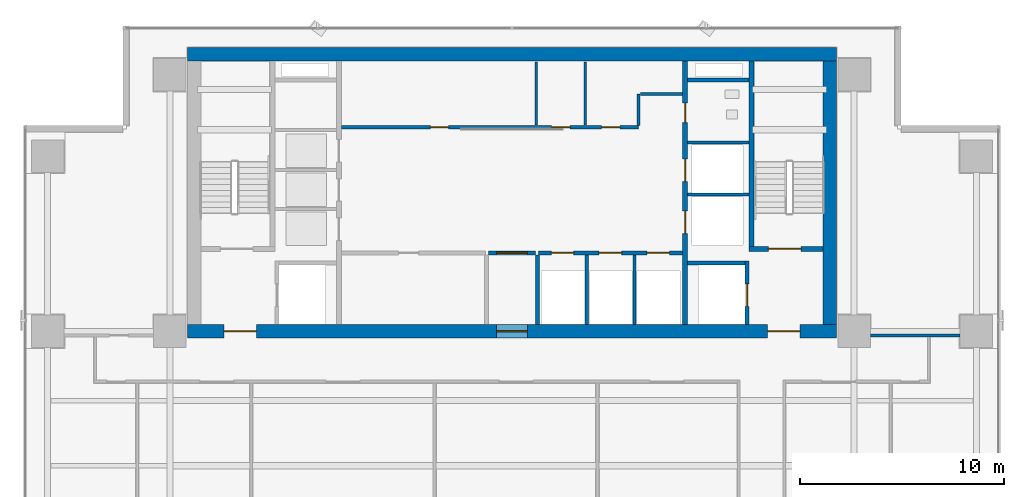
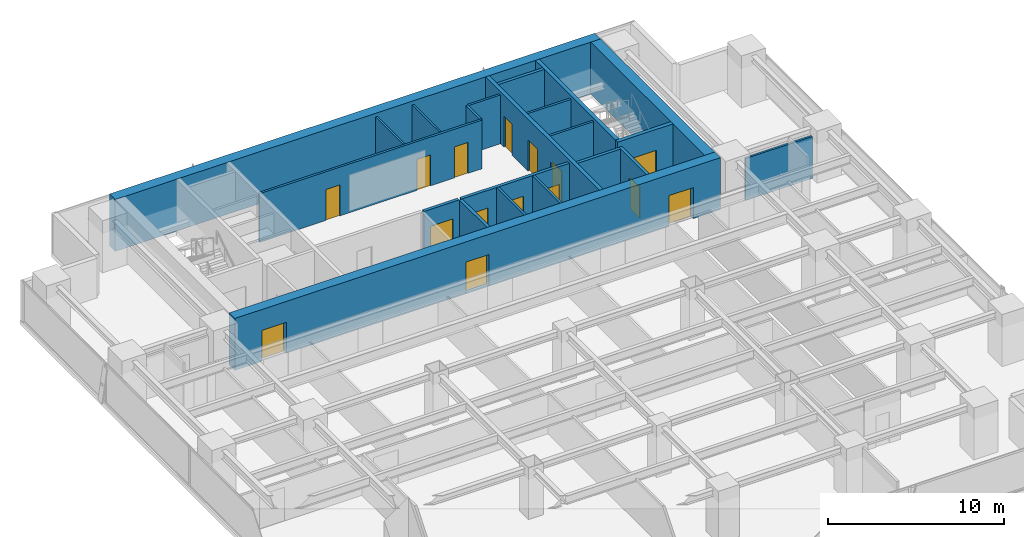
# One storey, part 22 of 29: 22 walls, 15 doors, 15 openings.
"""IFC4 building model written with IfcOpenShell, lengths in metres."""

from ifc_helpers import new_model, si_unit, direction, frame, frame_2d, origin, place, context, subcontext, project, spatial, rectangle, extrude, source, transform, mapped, material, layer, layer_set, type_object, element, fill, save


model = new_model("IFC4")

# Units and contexts
model_context = context("Model", 3, precision=1e-05, world=origin(), true_north=direction((0.0, 1.0)))
body_context = subcontext(model_context, "Body", "Model", "MODEL_VIEW")
ifc_project = project(units=[si_unit("LENGTHUNIT", "METRE"), si_unit("AREAUNIT", "SQUARE_METRE"), si_unit("VOLUMEUNIT", "CUBIC_METRE"), si_unit("PLANEANGLEUNIT", "RADIAN"), si_unit("MASSUNIT", "GRAM", prefix="KILO")], contexts=[model_context])

# Site, building, storey
site_placement = place(None, origin())
site = spatial("IfcSite", under=ifc_project, at=site_placement, CompositionType="ELEMENT")
building_placement = place(site_placement, origin())
building = spatial("IfcBuilding", under=site, at=building_placement, Name="Sumidabori Civic Tower", CompositionType="ELEMENT")
storey_placement = place(building_placement, frame((0.0, 0.0, 131.60009765625)))
storey = spatial("IfcBuildingStorey", under=building, at=storey_placement, Name="L33", CompositionType="ELEMENT", Elevation=131.60009765625)

# Walls
ifc_material_1 = material(Name="Concrete C50/60", Category="concrete")
ifc_layer_1 = layer(ifc_material_1, 0.199951171875, Name="Concrete C50/60")
ifc_layer_set_1 = layer_set([ifc_layer_1], Name="Concrete C50/60")
wall_type_1 = type_object("IfcWallType", Name="WL-SHAFT-200", PredefinedType="SHEAR", material=ifc_layer_set_1)
shared_shape_1 = source(origin(), body_context, "Body", "SweptSolid", [
    extrude(rectangle(XDim=2.824951171875, YDim=0.199951171875, at=frame_2d((1.41259765625, 0.0))), origin(), (0.0, 0.0, 1.0), 3.599853515625),
])
wall_1_placement = place(storey_placement, frame((8.625, 13.550048828125, 0.0), z_axis=(0.0, 0.0, 1.0), x_axis=(1.0, 0.0, 0.0)))
element("IfcWall", 1, at=wall_1_placement, inside=storey, type_object=wall_type_1, Name="Core Shear Wall L33 EL2-N", PredefinedType="SHEAR", context=body_context, shape_type="MappedRepresentation", body=[
    mapped(shared_shape_1, transform((0.0, 0.0, 0.0), x_axis=(1.0, 0.0, 0.0), y_axis=(0.0, 1.0, 0.0), z_axis=(0.0, 0.0, 1.0), scale=1.0)),
])
shared_shape_2 = source(origin(), body_context, "Body", "SweptSolid", [
    extrude(rectangle(XDim=3.02001953125, YDim=0.199951171875, at=frame_2d((1.510009765625, 0.0))), origin(), (0.0, 0.0, 1.0), 3.599853515625),
])
wall_2_placement = place(storey_placement, frame((8.625, 22.550048828125, 0.0), z_axis=(0.0, 0.0, 1.0), x_axis=(1.0, 0.0, 0.0)))
element("IfcWall", 2, at=wall_2_placement, inside=storey, type_object=wall_type_1, Name="Core Shear Wall L33 RIS2-S", PredefinedType="SHEAR", context=body_context, shape_type="MappedRepresentation", body=[
    mapped(shared_shape_2, transform((0.0, 0.0, 0.0), x_axis=(1.0, 0.0, 0.0), y_axis=(0.0, 1.0, 0.0), z_axis=(0.0, 0.0, 1.0), scale=1.0)),
])
ifc_material_2 = material(Name="Concrete C60/75", Category="concrete")
ifc_layer_2 = layer(ifc_material_2, 0.64990234375, Name="Concrete C60/75")
ifc_layer_set_2 = layer_set([ifc_layer_2], Name="Concrete C60/75")
wall_type_2 = type_object("IfcWallType", Name="WL-CORE-650", PredefinedType="SHEAR", material=ifc_layer_set_2)
shared_shape_3 = source(origin(), body_context, "Body", "SweptSolid", [
    extrude(rectangle(XDim=31.85009765625, YDim=0.64990234375, at=frame_2d((15.925048828125, 0.0))), origin(), (0.0, 0.0, 1.0), 3.599853515625),
])
wall_3_placement = place(storey_placement, frame((-15.925048828125, 23.800048828125, 0.0), z_axis=(0.0, 0.0, 1.0), x_axis=(1.0, 0.0, 0.0)))
element("IfcWall", 3, at=wall_3_placement, inside=storey, type_object=wall_type_2, Name="Core Shear Wall L33 N", PredefinedType="SHEAR", context=body_context, shape_type="MappedRepresentation", body=[
    mapped(shared_shape_3, transform((0.0, 0.0, 0.0), x_axis=(1.0, 0.0, 0.0), y_axis=(0.0, 1.0, 0.0), z_axis=(0.0, 0.0, 1.0), scale=1.0)),
])

# Wall, openings, doors
wall_4_placement = place(storey_placement, frame((-15.925048828125, 10.199951171875, 0.0), z_axis=(0.0, 0.0, 1.0), x_axis=(1.0, 0.0, 0.0)))
wall_4 = element("IfcWall", 4, at=wall_4_placement, inside=storey, type_object=wall_type_2, Name="Core Shear Wall L33 S", PredefinedType="SHEAR", context=body_context, shape_type="MappedRepresentation", body=[
    mapped(shared_shape_3, transform((0.0, 0.0, 0.0), x_axis=(1.0, 0.0, 0.0), y_axis=(0.0, 1.0, 0.0), z_axis=(0.0, 0.0, 1.0), scale=1.0)),
])
opening_1_placement = place(wall_4_placement, frame((1.77490234375, 0.0, 0.0)))
opening_1 = element("IfcOpeningElement", 5, at=opening_1_placement, cuts=wall_4, Name="Opening DR-FD4", PredefinedType="OPENING", context=body_context, shape_type="SweptSolid", body=[
    extrude(rectangle(XDim=1.60009765625, YDim=2.14990234375, at=frame_2d((0.800048828125, 1.074951171875))), frame((0.0, 0.3369140625, 0.0), z_axis=(0.0, -1.0, 0.0), x_axis=(1.0, 0.0, 0.0)), (0.0, 0.0, 1.0), 0.673828125),
])
opening_2_placement = place(wall_4_placement, frame((28.47509765625, 0.0, 0.0)))
opening_2 = element("IfcOpeningElement", 6, at=opening_2_placement, cuts=wall_4, Name="Opening DR-FD4", PredefinedType="OPENING", context=body_context, shape_type="SweptSolid", body=[
    extrude(rectangle(XDim=1.60009765625, YDim=2.14990234375, at=frame_2d((0.800048828125, 1.074951171875))), frame((0.0, 0.3369140625, 0.0), z_axis=(0.0, -1.0, 0.0), x_axis=(1.0, 0.0, 0.0)), (0.0, 0.0, 1.0), 0.673828125),
])
opening_3_placement = place(wall_4_placement, frame((15.175048828125, 0.0, 0.0)))
opening_3 = element("IfcOpeningElement", 7, at=opening_3_placement, cuts=wall_4, Name="Opening DR-FD3", PredefinedType="OPENING", context=body_context, shape_type="SweptSolid", body=[
    extrude(rectangle(XDim=1.5, YDim=2.199951171875, at=frame_2d((0.75, 1.10009765625))), frame((0.0, 0.3369140625, 0.0), z_axis=(0.0, -1.0, 0.0), x_axis=(1.0, 0.0, 0.0)), (0.0, 0.0, 1.0), 0.673828125),
])
ifc_material_3 = material(Name="Steel SN490", Category="steel")
door_type_1 = type_object("IfcDoorType", Name="DR-FD4", OperationType="DOUBLE_DOOR_SINGLE_SWING", PredefinedType="DOOR", material=ifc_material_3)
shared_shape_4 = source(origin(), body_context, "Body", "SweptSolid", [
    extrude(rectangle(XDim=1.60009765625, YDim=2.14990234375, at=frame_2d((0.800048828125, 1.074951171875))), frame((0.0, 0.02490234375, 0.0), z_axis=(0.0, -1.0, 0.0), x_axis=(1.0, 0.0, 0.0)), (0.0, 0.0, 1.0), 0.050048828125),
])
door_1_placement = place(opening_1_placement, origin())
door_1 = element("IfcDoor", 8, at=door_1_placement, inside=storey, type_object=door_type_1, Name="Door DR:L33:ELOB-W", OperationType="DOUBLE_DOOR_SINGLE_SWING", OverallHeight=2.14990234375, OverallWidth=1.60009765625, PredefinedType="DOOR", context=body_context, shape_type="MappedRepresentation", body=[
    mapped(shared_shape_4, transform((0.0, 0.0, 0.0), x_axis=(1.0, 0.0, 0.0), y_axis=(0.0, 1.0, 0.0), z_axis=(0.0, 0.0, 1.0), scale=1.0)),
])
fill(opening_1, door_1)
door_2_placement = place(opening_2_placement, origin())
door_2 = element("IfcDoor", 9, at=door_2_placement, inside=storey, type_object=door_type_1, Name="Door DR:L33:ELOB-E", OperationType="DOUBLE_DOOR_SINGLE_SWING", OverallHeight=2.14990234375, OverallWidth=1.60009765625, PredefinedType="DOOR", context=body_context, shape_type="MappedRepresentation", body=[
    mapped(shared_shape_4, transform((0.0, 0.0, 0.0), x_axis=(1.0, 0.0, 0.0), y_axis=(0.0, 1.0, 0.0), z_axis=(0.0, 0.0, 1.0), scale=1.0)),
])
fill(opening_2, door_2)
door_type_2 = type_object("IfcDoorType", Name="DR-FD-DBL", OperationType="DOUBLE_DOOR_SINGLE_SWING", PredefinedType="DOOR", material=ifc_material_3)
shared_shape_5 = source(origin(), body_context, "Body", "SweptSolid", [
    extrude(rectangle(XDim=1.5, YDim=2.199951171875, at=frame_2d((0.75, 1.10009765625))), frame((0.0, 0.02490234375, 0.0), z_axis=(0.0, -1.0, 0.0), x_axis=(1.0, 0.0, 0.0)), (0.0, 0.0, 1.0), 0.050048828125),
])
door_3_placement = place(opening_3_placement, origin())
door_3 = element("IfcDoor", 10, at=door_3_placement, inside=storey, type_object=door_type_2, Name="Door DR:L33:THROAT-OUT", OperationType="DOUBLE_DOOR_SINGLE_SWING", OverallHeight=2.199951171875, OverallWidth=1.5, PredefinedType="DOOR", context=body_context, shape_type="MappedRepresentation", body=[
    mapped(shared_shape_5, transform((0.0, 0.0, 0.0), x_axis=(1.0, 0.0, 0.0), y_axis=(0.0, 1.0, 0.0), z_axis=(0.0, 0.0, 1.0), scale=1.0)),
])
fill(opening_3, door_3)

# Wall
shared_shape_6 = source(origin(), body_context, "Body", "SweptSolid", [
    extrude(rectangle(XDim=12.9501953125, YDim=0.64990234375, at=frame_2d((6.47509765625, 0.0))), origin(), (0.0, 0.0, 1.0), 3.599853515625),
])
wall_5_placement = place(storey_placement, frame((15.60009765625, 10.52490234375, 0.0), z_axis=(0.0, 0.0, 1.0), x_axis=(0.0, 1.0, 0.0)))
element("IfcWall", 11, at=wall_5_placement, inside=storey, type_object=wall_type_2, Name="Core Shear Wall L33 E", PredefinedType="SHEAR", context=body_context, shape_type="MappedRepresentation", body=[
    mapped(shared_shape_6, transform((0.0, 0.0, 0.0), x_axis=(1.0, 0.0, 0.0), y_axis=(0.0, 1.0, 0.0), z_axis=(0.0, 0.0, 1.0), scale=1.0)),
])

# Wall, openings, doors
ifc_layer_3 = layer(ifc_material_1, 0.25, Name="Concrete C50/60")
ifc_layer_set_3 = layer_set([ifc_layer_3], Name="Concrete C50/60")
wall_type_3 = type_object("IfcWallType", Name="WL-SHAFT-250", PredefinedType="SHEAR", material=ifc_layer_set_3)
shared_shape_7 = source(origin(), body_context, "Body", "SweptSolid", [
    extrude(rectangle(XDim=12.9501953125, YDim=0.25, at=frame_2d((6.47509765625, 0.0))), origin(), (0.0, 0.0, 1.0), 3.599853515625),
])
wall_6_placement = place(storey_placement, frame((8.5, 10.52490234375, 0.0), z_axis=(0.0, 0.0, 1.0), x_axis=(0.0, 1.0, 0.0)))
wall_6 = element("IfcWall", 12, at=wall_6_placement, inside=storey, type_object=wall_type_3, Name="Core Shear Wall L33 WEB-E", PredefinedType="SHEAR", context=body_context, shape_type="MappedRepresentation", body=[
    mapped(shared_shape_7, transform((0.0, 0.0, 0.0), x_axis=(1.0, 0.0, 0.0), y_axis=(0.0, 1.0, 0.0), z_axis=(0.0, 0.0, 1.0), scale=1.0)),
])
opening_4_placement = place(wall_6_placement, frame((4.47509765625, 0.0, 0.0)))
opening_4 = element("IfcOpeningElement", 13, at=opening_4_placement, cuts=wall_6, Name="Opening LD-1", PredefinedType="OPENING", context=body_context, shape_type="SweptSolid", body=[
    extrude(rectangle(XDim=1.10009765625, YDim=2.14990234375, at=frame_2d((0.550048828125, 1.074951171875))), frame((0.0, 0.136962890625, 0.0), z_axis=(0.0, -1.0, 0.0), x_axis=(1.0, 0.0, 0.0)), (0.0, 0.0, 1.0), 0.27392578125),
])
opening_5_placement = place(wall_6_placement, frame((7.02490234375, 0.0, 0.0)))
opening_5 = element("IfcOpeningElement", 14, at=opening_5_placement, cuts=wall_6, Name="Opening LD-1", PredefinedType="OPENING", context=body_context, shape_type="SweptSolid", body=[
    extrude(rectangle(XDim=1.10009765625, YDim=2.14990234375, at=frame_2d((0.550048828125, 1.074951171875))), frame((0.0, 0.136962890625, 0.0), z_axis=(0.0, -1.0, 0.0), x_axis=(1.0, 0.0, 0.0)), (0.0, 0.0, 1.0), 0.27392578125),
])
opening_6_placement = place(wall_6_placement, frame((9.925048828125, 0.0, 0.0)))
opening_6 = element("IfcOpeningElement", 15, at=opening_6_placement, cuts=wall_6, Name="Opening DR-2", PredefinedType="OPENING", context=body_context, shape_type="SweptSolid", body=[
    extrude(rectangle(XDim=0.949951171875, YDim=2.14990234375, at=frame_2d((0.47509765625, 1.074951171875))), frame((0.0, 0.136962890625, 0.0), z_axis=(0.0, -1.0, 0.0), x_axis=(1.0, 0.0, 0.0)), (0.0, 0.0, 1.0), 0.27392578125),
])
ifc_material_4 = material(Name="Stainless Steel Hairline Finish", Category="steel")
door_type_3 = type_object("IfcDoorType", Name="DR-LD1", OperationType="DOUBLE_DOOR_SLIDING", PredefinedType="DOOR", material=ifc_material_4)
shared_shape_8 = source(origin(), body_context, "Body", "SweptSolid", [
    extrude(rectangle(XDim=1.10009765625, YDim=2.14990234375, at=frame_2d((0.550048828125, 1.074951171875))), frame((0.0, 0.02490234375, 0.0), z_axis=(0.0, -1.0, 0.0), x_axis=(1.0, 0.0, 0.0)), (0.0, 0.0, 1.0), 0.050048828125),
])
door_4_placement = place(opening_4_placement, origin())
door_4 = element("IfcDoor", 16, at=door_4_placement, inside=storey, type_object=door_type_3, Name="Door DR:L33:LD-OBS1", OperationType="DOUBLE_DOOR_SLIDING", OverallHeight=2.14990234375, OverallWidth=1.10009765625, PredefinedType="DOOR", context=body_context, shape_type="MappedRepresentation", body=[
    mapped(shared_shape_8, transform((0.0, 0.0, 0.0), x_axis=(1.0, 0.0, 0.0), y_axis=(0.0, 1.0, 0.0), z_axis=(0.0, 0.0, 1.0), scale=1.0)),
])
fill(opening_4, door_4)
door_5_placement = place(opening_5_placement, origin())
door_5 = element("IfcDoor", 17, at=door_5_placement, inside=storey, type_object=door_type_3, Name="Door DR:L33:LD-OBS2", OperationType="DOUBLE_DOOR_SLIDING", OverallHeight=2.14990234375, OverallWidth=1.10009765625, PredefinedType="DOOR", context=body_context, shape_type="MappedRepresentation", body=[
    mapped(shared_shape_8, transform((0.0, 0.0, 0.0), x_axis=(1.0, 0.0, 0.0), y_axis=(0.0, 1.0, 0.0), z_axis=(0.0, 0.0, 1.0), scale=1.0)),
])
fill(opening_5, door_5)
ifc_material_5 = material(Name="Japanese Hinoki Timber", Category="wood")
door_type_4 = type_object("IfcDoorType", Name="DR-INT-950", OperationType="NOTDEFINED", PredefinedType="DOOR", material=ifc_material_5)
shared_shape_9 = source(origin(), body_context, "Body", "SweptSolid", [
    extrude(rectangle(XDim=0.949951171875, YDim=2.14990234375, at=frame_2d((0.47509765625, 1.074951171875))), frame((0.0, 0.02490234375, 0.0), z_axis=(0.0, -1.0, 0.0), x_axis=(1.0, 0.0, 0.0)), (0.0, 0.0, 1.0), 0.050048828125),
])
door_6_placement = place(opening_6_placement, origin())
door_6 = element("IfcDoor", 18, at=door_6_placement, inside=storey, type_object=door_type_4, Name="Door DR:L33:WC-ACC", OperationType="SINGLE_SWING_RIGHT", OverallHeight=2.14990234375, OverallWidth=0.949951171875, PredefinedType="DOOR", context=body_context, shape_type="MappedRepresentation", body=[
    mapped(shared_shape_9, transform((0.0, 0.0, 0.0), x_axis=(1.0, 0.0, 0.0), y_axis=(0.0, 1.0, 0.0), z_axis=(0.0, 0.0, 1.0), scale=1.0)),
])
fill(opening_6, door_6)

# Wall, opening, door
shared_shape_10 = source(origin(), body_context, "Body", "SweptSolid", [
    extrude(rectangle(XDim=3.6298828125, YDim=0.25, at=frame_2d((1.81494140625, 0.0))), origin(), (0.0, 0.0, 1.0), 3.599853515625),
])
wall_7_placement = place(storey_placement, frame((11.64501953125, 14.25, 0.0), z_axis=(0.0, 0.0, 1.0), x_axis=(1.0, 0.0, 0.0)))
wall_7 = element("IfcWall", 19, at=wall_7_placement, inside=storey, type_object=wall_type_3, Name="Core Shear Wall L33 ST2-S", PredefinedType="SHEAR", context=body_context, shape_type="MappedRepresentation", body=[
    mapped(shared_shape_10, transform((0.0, 0.0, 0.0), x_axis=(1.0, 0.0, 0.0), y_axis=(0.0, 1.0, 0.0), z_axis=(0.0, 0.0, 1.0), scale=1.0)),
])
opening_7_placement = place(wall_7_placement, frame((0.949951171875, 0.0, 0.0)))
opening_7 = element("IfcOpeningElement", 20, at=opening_7_placement, cuts=wall_7, Name="Opening DR-FD4", PredefinedType="OPENING", context=body_context, shape_type="SweptSolid", body=[
    extrude(rectangle(XDim=1.60009765625, YDim=2.14990234375, at=frame_2d((0.800048828125, 1.074951171875))), frame((0.0, 0.136962890625, 0.0), z_axis=(0.0, -1.0, 0.0), x_axis=(1.0, 0.0, 0.0)), (0.0, 0.0, 1.0), 0.27392578125),
])
door_7_placement = place(opening_7_placement, origin())
door_7 = element("IfcDoor", 21, at=door_7_placement, inside=storey, type_object=door_type_1, Name="Door DR:L33:ST2", OperationType="DOUBLE_DOOR_SINGLE_SWING", OverallHeight=2.14990234375, OverallWidth=1.60009765625, PredefinedType="DOOR", context=body_context, shape_type="MappedRepresentation", body=[
    mapped(shared_shape_4, transform((0.0, 0.0, 0.0), x_axis=(1.0, 0.0, 0.0), y_axis=(0.0, 1.0, 0.0), z_axis=(0.0, 0.0, 1.0), scale=1.0)),
])
fill(opening_7, door_7)

# Wall
shared_shape_11 = source(origin(), body_context, "Body", "SweptSolid", [
    extrude(rectangle(XDim=9.10009765625, YDim=0.25, at=frame_2d((4.550048828125, 0.0))), origin(), (0.0, 0.0, 1.0), 3.599853515625),
])
wall_8_placement = place(storey_placement, frame((11.77001953125, 14.375, 0.0), z_axis=(0.0, 0.0, 1.0), x_axis=(0.0, 1.0, 0.0)))
element("IfcWall", 22, at=wall_8_placement, inside=storey, type_object=wall_type_3, Name="Core Shear Wall L33 ST2-W", PredefinedType="SHEAR", context=body_context, shape_type="MappedRepresentation", body=[
    mapped(shared_shape_11, transform((0.0, 0.0, 0.0), x_axis=(1.0, 0.0, 0.0), y_axis=(0.0, 1.0, 0.0), z_axis=(0.0, 0.0, 1.0), scale=1.0)),
])

# Wall, opening, door
shared_shape_12 = source(origin(), body_context, "Body", "SweptSolid", [
    extrude(rectangle(XDim=3.125, YDim=0.199951171875, at=frame_2d((1.5625, 0.0))), origin(), (0.0, 0.0, 1.0), 3.599853515625),
])
wall_9_placement = place(storey_placement, frame((11.550048828125, 10.52490234375, 0.0), z_axis=(0.0, 0.0, 1.0), x_axis=(0.0, 1.0, 0.0)))
wall_9 = element("IfcWall", 23, at=wall_9_placement, inside=storey, type_object=wall_type_1, Name="Core Shear Wall L33 EL2-E", PredefinedType="SHEAR", context=body_context, shape_type="MappedRepresentation", body=[
    mapped(shared_shape_12, transform((0.0, 0.0, 0.0), x_axis=(1.0, 0.0, 0.0), y_axis=(0.0, 1.0, 0.0), z_axis=(0.0, 0.0, 1.0), scale=1.0)),
])
opening_8_placement = place(wall_9_placement, frame((0.89990234375, 0.0, 0.0)))
opening_8 = element("IfcOpeningElement", 24, at=opening_8_placement, cuts=wall_9, Name="Opening LD-2", PredefinedType="OPENING", context=body_context, shape_type="SweptSolid", body=[
    extrude(rectangle(XDim=1.10009765625, YDim=2.14990234375, at=frame_2d((0.550048828125, 1.074951171875))), frame((0.0, 0.11181640625, 0.0), z_axis=(0.0, -1.0, 0.0), x_axis=(1.0, 0.0, 0.0)), (0.0, 0.0, 1.0), 0.223876953125),
])
door_type_5 = type_object("IfcDoorType", Name="DR-LD2", OperationType="DOUBLE_DOOR_SLIDING", PredefinedType="DOOR", material=ifc_material_4)
door_8_placement = place(opening_8_placement, origin())
door_8 = element("IfcDoor", 25, at=door_8_placement, inside=storey, type_object=door_type_5, Name="Door DR:L33:LD-EL2", OperationType="DOUBLE_DOOR_SLIDING", OverallHeight=2.14990234375, OverallWidth=1.10009765625, PredefinedType="DOOR", context=body_context, shape_type="MappedRepresentation", body=[
    mapped(shared_shape_8, transform((0.0, 0.0, 0.0), x_axis=(1.0, 0.0, 0.0), y_axis=(0.0, 1.0, 0.0), z_axis=(0.0, 0.0, 1.0), scale=1.0)),
])
fill(opening_8, door_8)

# Walls
ifc_material_6 = material(Name="Gypsum Plasterboard Acoustic Partition")
ifc_layer_4 = layer(ifc_material_6, 0.14990234375, Name="Gypsum Plasterboard Acoustic Partition")
ifc_layer_set_4 = layer_set([ifc_layer_4], Name="Gypsum Plasterboard Acoustic Partition")
wall_type_4 = type_object("IfcWallType", Name="WL-PART-150", PredefinedType="PARTITIONING", material=ifc_layer_set_4)
shared_shape_13 = source(origin(), body_context, "Body", "SweptSolid", [
    extrude(rectangle(XDim=3.010009765625, YDim=0.14990234375, at=frame_2d((1.5048828125, 0.0))), origin(), (0.0, 0.0, 1.0), 3.3798828125),
])
for number, where, z_axis, x_axis, name in (
    (26, (8.6298828125, 16.919921875, 0.0), (0.0, 0.0, 1.0), (1.0, 0.0, 0.0), "Interior Partition WL:L33:DIV-OBS1"),
    (27, (8.6298828125, 19.469970703125, 0.0), (0.0, 0.0, 1.0), (1.0, 0.0, 0.0), "Interior Partition WL:L33:DIV-OBS2"),
):
    element("IfcWall", number, at=place(storey_placement, frame(where, z_axis=z_axis, x_axis=x_axis)), inside=storey, type_object=wall_type_4, Name=name, PredefinedType="PARTITIONING", context=body_context, shape_type="MappedRepresentation", body=[
        mapped(shared_shape_13, transform((0.0, 0.0, 0.0), x_axis=(1.0, 0.0, 0.0), y_axis=(0.0, 1.0, 0.0), z_axis=(0.0, 0.0, 1.0), scale=1.0)),
    ])

# Wall, openings, doors
ifc_material_7 = material(Name="Gypsum Plasterboard Fire Partition")
ifc_layer_5 = layer(ifc_material_7, 0.199951171875, Name="Gypsum Plasterboard Fire Partition")
ifc_layer_set_5 = layer_set([ifc_layer_5], Name="Gypsum Plasterboard Fire Partition")
wall_type_5 = type_object("IfcWallType", Name="WL-PART-FIRE", PredefinedType="PARTITIONING", material=ifc_layer_set_5)
shared_shape_14 = source(origin(), body_context, "Body", "SweptSolid", [
    extrude(rectangle(XDim=7.070068359375, YDim=0.199951171875, at=frame_2d((3.53515625, 0.0))), origin(), (0.0, 0.0, 1.0), 3.3798828125),
])
wall_10_placement = place(storey_placement, frame((1.300048828125, 14.050048828125, 0.0), z_axis=(0.0, 0.0, 1.0), x_axis=(1.0, 0.0, 0.0)))
wall_10 = element("IfcWall", 28, at=wall_10_placement, inside=storey, type_object=wall_type_5, Name="Interior Partition WL:L33:CBAND-SE", PredefinedType="PARTITIONING", context=body_context, shape_type="MappedRepresentation", body=[
    mapped(shared_shape_14, transform((0.0, 0.0, 0.0), x_axis=(1.0, 0.0, 0.0), y_axis=(0.0, 1.0, 0.0), z_axis=(0.0, 0.0, 1.0), scale=1.0)),
])
opening_9_placement = place(wall_10_placement, frame((0.6298828125, 0.0, 0.0)))
opening_9 = element("IfcOpeningElement", 29, at=opening_9_placement, cuts=wall_10, Name="Opening LD-1", PredefinedType="OPENING", context=body_context, shape_type="SweptSolid", body=[
    extrude(rectangle(XDim=1.10009765625, YDim=2.14990234375, at=frame_2d((0.550048828125, 1.074951171875))), frame((0.0, 0.11181640625, 0.0), z_axis=(0.0, -1.0, 0.0), x_axis=(1.0, 0.0, 0.0)), (0.0, 0.0, 1.0), 0.223876953125),
])
opening_10_placement = place(wall_10_placement, frame((2.97998046875, 0.0, 0.0)))
opening_10 = element("IfcOpeningElement", 30, at=opening_10_placement, cuts=wall_10, Name="Opening LD-1", PredefinedType="OPENING", context=body_context, shape_type="SweptSolid", body=[
    extrude(rectangle(XDim=1.10009765625, YDim=2.14990234375, at=frame_2d((0.550048828125, 1.074951171875))), frame((0.0, 0.11181640625, 0.0), z_axis=(0.0, -1.0, 0.0), x_axis=(1.0, 0.0, 0.0)), (0.0, 0.0, 1.0), 0.223876953125),
])
opening_11_placement = place(wall_10_placement, frame((5.330078125, 0.0, 0.0)))
opening_11 = element("IfcOpeningElement", 31, at=opening_11_placement, cuts=wall_10, Name="Opening LD-1", PredefinedType="OPENING", context=body_context, shape_type="SweptSolid", body=[
    extrude(rectangle(XDim=1.10009765625, YDim=2.14990234375, at=frame_2d((0.550048828125, 1.074951171875))), frame((0.0, 0.11181640625, 0.0), z_axis=(0.0, -1.0, 0.0), x_axis=(1.0, 0.0, 0.0)), (0.0, 0.0, 1.0), 0.223876953125),
])
door_9_placement = place(opening_9_placement, origin())
door_9 = element("IfcDoor", 32, at=door_9_placement, inside=storey, type_object=door_type_3, Name="Door DR:L33:LD-PLM1", OperationType="DOUBLE_DOOR_SLIDING", OverallHeight=2.14990234375, OverallWidth=1.10009765625, PredefinedType="DOOR", context=body_context, shape_type="MappedRepresentation", body=[
    mapped(shared_shape_8, transform((0.0, 0.0, 0.0), x_axis=(1.0, 0.0, 0.0), y_axis=(0.0, 1.0, 0.0), z_axis=(0.0, 0.0, 1.0), scale=1.0)),
])
fill(opening_9, door_9)
door_10_placement = place(opening_10_placement, origin())
door_10 = element("IfcDoor", 33, at=door_10_placement, inside=storey, type_object=door_type_3, Name="Door DR:L33:LD-PLM2", OperationType="DOUBLE_DOOR_SLIDING", OverallHeight=2.14990234375, OverallWidth=1.10009765625, PredefinedType="DOOR", context=body_context, shape_type="MappedRepresentation", body=[
    mapped(shared_shape_8, transform((0.0, 0.0, 0.0), x_axis=(1.0, 0.0, 0.0), y_axis=(0.0, 1.0, 0.0), z_axis=(0.0, 0.0, 1.0), scale=1.0)),
])
fill(opening_10, door_10)
door_11_placement = place(opening_11_placement, origin())
door_11 = element("IfcDoor", 34, at=door_11_placement, inside=storey, type_object=door_type_3, Name="Door DR:L33:LD-PLM3", OperationType="DOUBLE_DOOR_SLIDING", OverallHeight=2.14990234375, OverallWidth=1.10009765625, PredefinedType="DOOR", context=body_context, shape_type="MappedRepresentation", body=[
    mapped(shared_shape_8, transform((0.0, 0.0, 0.0), x_axis=(1.0, 0.0, 0.0), y_axis=(0.0, 1.0, 0.0), z_axis=(0.0, 0.0, 1.0), scale=1.0)),
])
fill(opening_11, door_11)

# Wall
shared_shape_15 = source(origin(), body_context, "Body", "SweptSolid", [
    extrude(rectangle(XDim=3.4150390625, YDim=0.199951171875, at=frame_2d((1.70751953125, 0.0))), origin(), (0.0, 0.0, 1.0), 3.3798828125),
])
wall_11_placement = place(storey_placement, frame((1.25, 10.52490234375, 0.0), z_axis=(0.0, 0.0, 1.0), x_axis=(0.0, 1.0, 0.0)))
element("IfcWall", 35, at=wall_11_placement, inside=storey, type_object=wall_type_5, Name="Interior Partition WL:L33:THROAT-E", PredefinedType="PARTITIONING", context=body_context, shape_type="MappedRepresentation", body=[
    mapped(shared_shape_15, transform((0.0, 0.0, 0.0), x_axis=(1.0, 0.0, 0.0), y_axis=(0.0, 1.0, 0.0), z_axis=(0.0, 0.0, 1.0), scale=1.0)),
])

# Wall, opening, door
shared_shape_16 = source(origin(), body_context, "Body", "SweptSolid", [
    extrude(rectangle(XDim=2.2998046875, YDim=0.199951171875, at=frame_2d((1.14990234375, 0.0))), origin(), (0.0, 0.0, 1.0), 3.3798828125),
])
wall_12_placement = place(storey_placement, frame((-1.14990234375, 14.050048828125, 0.0), z_axis=(0.0, 0.0, 1.0), x_axis=(1.0, 0.0, 0.0)))
wall_12 = element("IfcWall", 36, at=wall_12_placement, inside=storey, type_object=wall_type_5, Name="Interior Partition WL:L33:THROAT-N", PredefinedType="PARTITIONING", context=body_context, shape_type="MappedRepresentation", body=[
    mapped(shared_shape_16, transform((0.0, 0.0, 0.0), x_axis=(1.0, 0.0, 0.0), y_axis=(0.0, 1.0, 0.0), z_axis=(0.0, 0.0, 1.0), scale=1.0)),
])
opening_12_placement = place(wall_12_placement, frame((0.39990234375, 0.0, 0.0)))
opening_12 = element("IfcOpeningElement", 37, at=opening_12_placement, cuts=wall_12, Name="Opening DR-FD3", PredefinedType="OPENING", context=body_context, shape_type="SweptSolid", body=[
    extrude(rectangle(XDim=1.5, YDim=2.199951171875, at=frame_2d((0.75, 1.10009765625))), frame((0.0, 0.11181640625, 0.0), z_axis=(0.0, -1.0, 0.0), x_axis=(1.0, 0.0, 0.0)), (0.0, 0.0, 1.0), 0.223876953125),
])
door_12_placement = place(opening_12_placement, origin())
door_12 = element("IfcDoor", 38, at=door_12_placement, inside=storey, type_object=door_type_2, Name="Door DR:L33:THROAT-IN", OperationType="DOUBLE_DOOR_SINGLE_SWING", OverallHeight=2.199951171875, OverallWidth=1.5, PredefinedType="DOOR", context=body_context, shape_type="MappedRepresentation", body=[
    mapped(shared_shape_5, transform((0.0, 0.0, 0.0), x_axis=(1.0, 0.0, 0.0), y_axis=(0.0, 1.0, 0.0), z_axis=(0.0, 0.0, 1.0), scale=1.0)),
])
fill(opening_12, door_12)

# Wall, openings, doors
shared_shape_17 = source(origin(), body_context, "Body", "SweptSolid", [
    extrude(rectangle(XDim=14.590087890625, YDim=0.14990234375, at=frame_2d((7.294921875, 0.0))), origin(), (0.0, 0.0, 1.0), 3.3798828125),
])
wall_13_placement = place(storey_placement, frame((-8.3701171875, 20.219970703125, 0.0), z_axis=(0.0, 0.0, 1.0), x_axis=(1.0, 0.0, 0.0)))
wall_13 = element("IfcWall", 39, at=wall_13_placement, inside=storey, type_object=wall_type_4, Name="Interior Partition WL:L33:CBAND-M", PredefinedType="PARTITIONING", context=body_context, shape_type="MappedRepresentation", body=[
    mapped(shared_shape_17, transform((0.0, 0.0, 0.0), x_axis=(1.0, 0.0, 0.0), y_axis=(0.0, 1.0, 0.0), z_axis=(0.0, 0.0, 1.0), scale=1.0)),
])
opening_13_placement = place(wall_13_placement, frame((4.360107421875, 0.0, 0.0)))
opening_13 = element("IfcOpeningElement", 40, at=opening_13_placement, cuts=wall_13, Name="Opening DR-1", PredefinedType="OPENING", context=body_context, shape_type="SweptSolid", body=[
    extrude(rectangle(XDim=0.89990234375, YDim=2.14990234375, at=frame_2d((0.449951171875, 1.074951171875))), frame((0.0, 0.0869140625, 0.0), z_axis=(0.0, -1.0, 0.0), x_axis=(1.0, 0.0, 0.0)), (0.0, 0.0, 1.0), 0.173828125),
])
opening_14_placement = place(wall_13_placement, frame((10.320068359375, 0.0, 0.0)))
opening_14 = element("IfcOpeningElement", 41, at=opening_14_placement, cuts=wall_13, Name="Opening DR-1", PredefinedType="OPENING", context=body_context, shape_type="SweptSolid", body=[
    extrude(rectangle(XDim=0.89990234375, YDim=2.14990234375, at=frame_2d((0.449951171875, 1.074951171875))), frame((0.0, 0.0869140625, 0.0), z_axis=(0.0, -1.0, 0.0), x_axis=(1.0, 0.0, 0.0)), (0.0, 0.0, 1.0), 0.173828125),
])
opening_15_placement = place(wall_13_placement, frame((12.77001953125, 0.0, 0.0)))
opening_15 = element("IfcOpeningElement", 42, at=opening_15_placement, cuts=wall_13, Name="Opening DR-1", PredefinedType="OPENING", context=body_context, shape_type="SweptSolid", body=[
    extrude(rectangle(XDim=0.89990234375, YDim=2.14990234375, at=frame_2d((0.449951171875, 1.074951171875))), frame((0.0, 0.0869140625, 0.0), z_axis=(0.0, -1.0, 0.0), x_axis=(1.0, 0.0, 0.0)), (0.0, 0.0, 1.0), 0.173828125),
])
door_type_6 = type_object("IfcDoorType", Name="DR-INT-900", OperationType="NOTDEFINED", PredefinedType="DOOR", material=ifc_material_5)
shared_shape_18 = source(origin(), body_context, "Body", "SweptSolid", [
    extrude(rectangle(XDim=0.89990234375, YDim=2.14990234375, at=frame_2d((0.449951171875, 1.074951171875))), frame((0.0, 0.02490234375, 0.0), z_axis=(0.0, -1.0, 0.0), x_axis=(1.0, 0.0, 0.0)), (0.0, 0.0, 1.0), 0.050048828125),
])
door_13_placement = place(opening_13_placement, origin())
door_13 = element("IfcDoor", 43, at=door_13_placement, inside=storey, type_object=door_type_6, Name="Door DR:L33:CB-1", OperationType="SINGLE_SWING_LEFT", OverallHeight=2.14990234375, OverallWidth=0.89990234375, PredefinedType="DOOR", context=body_context, shape_type="MappedRepresentation", body=[
    mapped(shared_shape_18, transform((0.0, 0.0, 0.0), x_axis=(1.0, 0.0, 0.0), y_axis=(0.0, 1.0, 0.0), z_axis=(0.0, 0.0, 1.0), scale=1.0)),
])
fill(opening_13, door_13)
door_14_placement = place(opening_14_placement, origin())
door_14 = element("IfcDoor", 44, at=door_14_placement, inside=storey, type_object=door_type_6, Name="Door DR:L33:CB-2", OperationType="SINGLE_SWING_RIGHT", OverallHeight=2.14990234375, OverallWidth=0.89990234375, PredefinedType="DOOR", context=body_context, shape_type="MappedRepresentation", body=[
    mapped(shared_shape_18, transform((0.0, 0.0, 0.0), x_axis=(1.0, 0.0, 0.0), y_axis=(0.0, 1.0, 0.0), z_axis=(0.0, 0.0, 1.0), scale=1.0)),
])
fill(opening_14, door_14)
door_15_placement = place(opening_15_placement, origin())
door_15 = element("IfcDoor", 45, at=door_15_placement, inside=storey, type_object=door_type_6, Name="Door DR:L33:CB-3", OperationType="SINGLE_SWING_LEFT", OverallHeight=2.14990234375, OverallWidth=0.89990234375, PredefinedType="DOOR", context=body_context, shape_type="MappedRepresentation", body=[
    mapped(shared_shape_18, transform((0.0, 0.0, 0.0), x_axis=(1.0, 0.0, 0.0), y_axis=(0.0, 1.0, 0.0), z_axis=(0.0, 0.0, 1.0), scale=1.0)),
])
fill(opening_15, door_15)

# Walls
shared_shape_19 = source(origin(), body_context, "Body", "SweptSolid", [
    extrude(rectangle(XDim=1.550048828125, YDim=0.14990234375, at=frame_2d((0.77490234375, 0.0))), origin(), (0.0, 0.0, 1.0), 3.3798828125),
])
wall_14_placement = place(storey_placement, frame((6.219970703125, 20.300048828125, 0.0), z_axis=(0.0, 0.0, 1.0), x_axis=(0.0, 1.0, 0.0)))
element("IfcWall", 46, at=wall_14_placement, inside=storey, type_object=wall_type_4, Name="Interior Partition WL:L33:CBAND-ME1", PredefinedType="PARTITIONING", context=body_context, shape_type="MappedRepresentation", body=[
    mapped(shared_shape_19, transform((0.0, 0.0, 0.0), x_axis=(1.0, 0.0, 0.0), y_axis=(0.0, 1.0, 0.0), z_axis=(0.0, 0.0, 1.0), scale=1.0)),
])
shared_shape_20 = source(origin(), body_context, "Body", "SweptSolid", [
    extrude(rectangle(XDim=2.070068359375, YDim=0.14990234375, at=frame_2d((1.03515625, 0.0))), origin(), (0.0, 0.0, 1.0), 3.3798828125),
])
wall_15_placement = place(storey_placement, frame((6.300048828125, 21.85009765625, 0.0), z_axis=(0.0, 0.0, 1.0), x_axis=(1.0, 0.0, 0.0)))
element("IfcWall", 47, at=wall_15_placement, inside=storey, type_object=wall_type_4, Name="Interior Partition WL:L33:CBAND-ME2", PredefinedType="PARTITIONING", context=body_context, shape_type="MappedRepresentation", body=[
    mapped(shared_shape_20, transform((0.0, 0.0, 0.0), x_axis=(1.0, 0.0, 0.0), y_axis=(0.0, 1.0, 0.0), z_axis=(0.0, 0.0, 1.0), scale=1.0)),
])
shared_shape_21 = source(origin(), body_context, "Body", "SweptSolid", [
    extrude(rectangle(XDim=3.4150390625, YDim=0.14990234375, at=frame_2d((1.70751953125, 0.0))), origin(), (0.0, 0.0, 1.0), 3.3798828125),
])
for number, where, z_axis, x_axis, name in (
    (48, (3.669921875, 10.52490234375, 0.0), (0.0, 0.0, 1.0), (0.0, 1.0, 0.0), "Interior Partition WL:L33:DIV-PLM1"),
    (49, (6.02001953125, 10.52490234375, 0.0), (0.0, 0.0, 1.0), (0.0, 1.0, 0.0), "Interior Partition WL:L33:DIV-PLM2"),
):
    element("IfcWall", number, at=place(storey_placement, frame(where, z_axis=z_axis, x_axis=x_axis)), inside=storey, type_object=wall_type_4, Name=name, PredefinedType="PARTITIONING", context=body_context, shape_type="MappedRepresentation", body=[
        mapped(shared_shape_21, transform((0.0, 0.0, 0.0), x_axis=(1.0, 0.0, 0.0), y_axis=(0.0, 1.0, 0.0), z_axis=(0.0, 0.0, 1.0), scale=1.0)),
    ])
ifc_layer_6 = layer(ifc_material_6, 0.1201171875, Name="Gypsum Plasterboard Acoustic Partition")
ifc_layer_set_6 = layer_set([ifc_layer_6], Name="Gypsum Plasterboard Acoustic Partition")
wall_type_6 = type_object("IfcWallType", Name="WL-PART-120", PredefinedType="PARTITIONING", material=ifc_layer_set_6)
shared_shape_22 = source(origin(), body_context, "Body", "SweptSolid", [
    extrude(rectangle(XDim=3.114990234375, YDim=0.1201171875, at=frame_2d((1.5576171875, 0.0))), origin(), (0.0, 0.0, 1.0), 3.3798828125),
])
for number, where, z_axis, x_axis, name in (
    (50, (1.199951171875, 20.320068359375, 0.0), (0.0, 0.0, 1.0), (0.0, 1.0, 0.0), "Interior Partition WL:L33:LV8-S1"),
    (51, (3.60009765625, 20.320068359375, 0.0), (0.0, 0.0, 1.0), (0.0, 1.0, 0.0), "Interior Partition WL:L33:LV8-S2"),
):
    element("IfcWall", number, at=place(storey_placement, frame(where, z_axis=z_axis, x_axis=x_axis)), inside=storey, type_object=wall_type_6, Name=name, PredefinedType="PARTITIONING", context=body_context, shape_type="MappedRepresentation", body=[
        mapped(shared_shape_22, transform((0.0, 0.0, 0.0), x_axis=(1.0, 0.0, 0.0), y_axis=(0.0, 1.0, 0.0), z_axis=(0.0, 0.0, 1.0), scale=1.0)),
    ])
ifc_layer_7 = layer(ifc_material_6, 0.135009765625, Name="Gypsum Plasterboard Acoustic Partition")
ifc_layer_set_7 = layer_set([ifc_layer_7], Name="Gypsum Plasterboard Acoustic Partition")
wall_type_7 = type_object("IfcWallType", Name="WL-PART-135", PredefinedType="PARTITIONING", material=ifc_layer_set_7)
shared_shape_23 = source(origin(), body_context, "Body", "SweptSolid", [
    extrude(rectangle(XDim=4.3798828125, YDim=0.135009765625, at=frame_2d((2.18994140625, 0.0))), origin(), (0.0, 0.0, 1.0), 2.914794921875),
])
wall_16_placement = place(storey_placement, frame((17.610107421875, 10.0, 0.0), z_axis=(0.0, 0.0, 1.0), x_axis=(1.0, 0.0, 0.0)))
element("IfcWall", 52, at=wall_16_placement, inside=storey, type_object=wall_type_7, Name="Interior Partition WL:L33:FLK-NE", PredefinedType="PARTITIONING", context=body_context, shape_type="MappedRepresentation", body=[
    mapped(shared_shape_23, transform((0.0, 0.0, 0.0), x_axis=(1.0, 0.0, 0.0), y_axis=(0.0, 1.0, 0.0), z_axis=(0.0, 0.0, 1.0), scale=1.0)),
])

save(model, "model.ifc")
